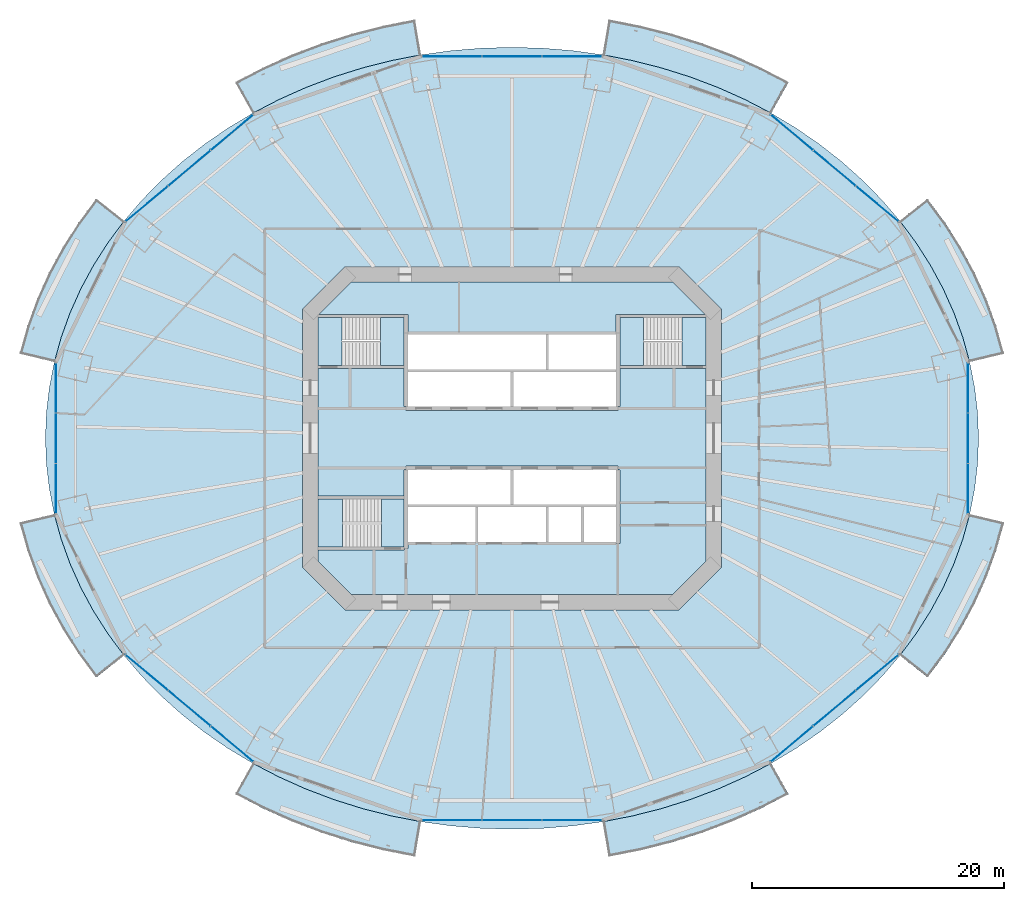
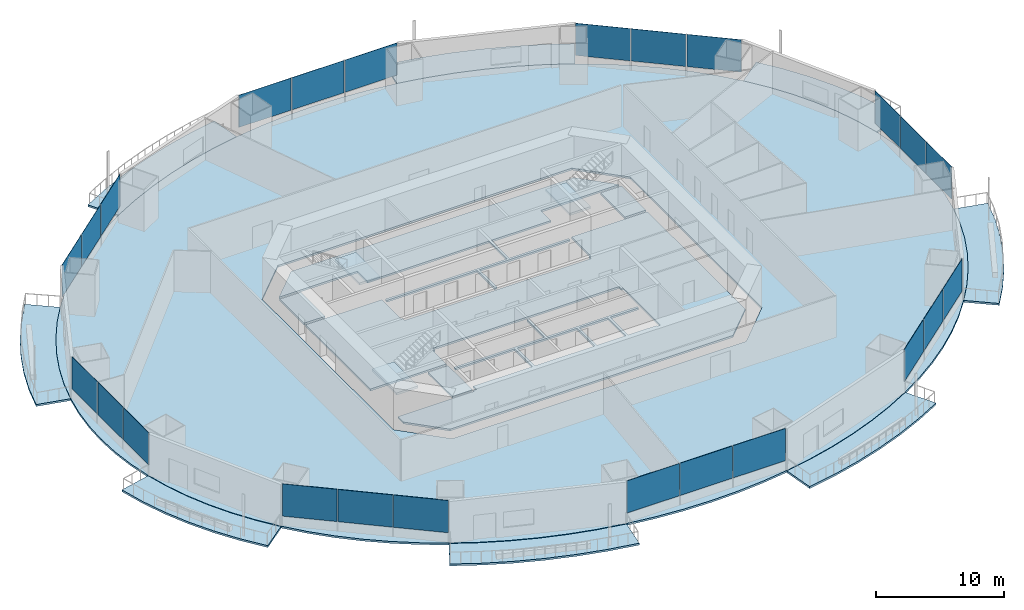
# One storey, part 13 of 23: 24 plates, 17 slabs, 11 elements without a shape of their own.
"""IFC4 building model written with IfcOpenShell, lengths in metres."""

from ifc_helpers import new_model, si_unit, direction, frame, origin, origin_2d, place, context, subcontext, project, spatial, polyline, rectangle, outline, extrude, material, layer, layer_set, type_object, element, aggregate, save


model = new_model("IFC4")

# Units and contexts
model_context = context("Model", 3, precision=1e-05, world=origin(), true_north=direction((0.0, 1.0)))
body_context = subcontext(model_context, "Body", "Model", "MODEL_VIEW")
ifc_project = project(units=[si_unit("LENGTHUNIT", "METRE"), si_unit("AREAUNIT", "SQUARE_METRE"), si_unit("VOLUMEUNIT", "CUBIC_METRE"), si_unit("PLANEANGLEUNIT", "RADIAN"), si_unit("MASSUNIT", "GRAM", prefix="KILO")], contexts=[model_context])

# Site, building, storey
site_placement = place(None, origin())
site = spatial("IfcSite", under=ifc_project, at=site_placement, CompositionType="ELEMENT")
building_placement = place(site_placement, origin())
building = spatial("IfcBuilding", under=site, at=building_placement, Name="Marenthal Gate Tower", CompositionType="ELEMENT")
storey_placement = place(building_placement, frame((0.0, 0.0, 37.14990234375)))
storey = spatial("IfcBuildingStorey", under=building, at=storey_placement, Name="L05", CompositionType="ELEMENT", Elevation=37.14990234375)

# Slabs
ifc_material_1 = material(Name="Concrete 40 MPa", Category="concrete")
ifc_layer_1 = layer(ifc_material_1, 0.179931640625)
ifc_layer_set_1 = layer_set([ifc_layer_1], Name="Balcony deck 180")
slab_type_1 = type_object("IfcSlabType", Name="Balcony deck 180", PredefinedType="USERDEFINED", material=ifc_layer_set_1)
slab_1_placement = place(storey_placement, frame((0.0, 0.0, -0.219970703125)))
element("IfcSlab", 1, at=slab_1_placement, inside=storey, type_object=slab_type_1, Name="Balcony deck L05 bay 1", ObjectType="BALCONY", PredefinedType="USERDEFINED", context=body_context, shape_type="SweptSolid", body=[
    extrude(outline(polyline([(36.2890625, 6.0478515625), (35.7392578125, 8.0234375), (35.036376953125, 9.964599609375), (34.18359375, 11.86328125), (33.184326171875, 13.7109375), (32.04296875, 15.5), (30.764404296875, 17.22265625), (32.95361328125, 18.968505859375), (34.348388671875, 17.0888671875), (35.597412109375, 15.131103515625), (36.693603515625, 13.10400390625), (37.631591796875, 11.01611328125), (38.40625, 8.876220703125), (39.013427734375, 6.694580078125), (36.2890625, 6.0478515625)])), origin(), (0.0, 0.0, 1.0), 0.18017578125),
])
slab_2_placement = place(storey_placement, frame((0.0, 0.0, -0.219970703125)))
element("IfcSlab", 2, at=slab_2_placement, inside=storey, type_object=slab_type_1, Name="Balcony deck L05 bay 3", ObjectType="BALCONY", PredefinedType="USERDEFINED", context=body_context, shape_type="SweptSolid", body=[
    extrude(outline(polyline([(20.55615234375, 25.775634765625), (18.5, 26.8466796875), (16.36474609375, 27.802978515625), (14.1591796875, 28.640380859375), (11.893310546875, 29.354736328125), (9.576416015625, 29.943603515625), (7.21826171875, 30.404296875), (7.678466796875, 33.166259765625), (10.189697265625, 32.67578125), (12.6591796875, 32.048095703125), (15.077392578125, 31.28564453125), (17.433837890625, 30.390869140625), (19.71923828125, 29.367431640625), (21.923828125, 28.21875), (20.55615234375, 25.775634765625)])), origin(), (0.0, 0.0, 1.0), 0.18017578125),
])
slab_3_placement = place(storey_placement, frame((0.0, 0.0, -0.219970703125)))
element("IfcSlab", 3, at=slab_3_placement, inside=storey, type_object=slab_type_1, Name="Balcony deck L05 bay 5", ObjectType="BALCONY", PredefinedType="USERDEFINED", context=body_context, shape_type="SweptSolid", body=[
    extrude(outline(polyline([(-7.21826171875, 30.404296875), (-9.576416015625, 29.943603515625), (-11.893310546875, 29.354736328125), (-14.1591796875, 28.640380859375), (-16.36474609375, 27.802978515625), (-18.5, 26.8466796875), (-20.55615234375, 25.775634765625), (-21.923828125, 28.21875), (-19.71923828125, 29.367431640625), (-17.433837890625, 30.390869140625), (-15.077392578125, 31.28564453125), (-12.6591796875, 32.048095703125), (-10.189697265625, 32.67578125), (-7.678466796875, 33.166259765625), (-7.21826171875, 30.404296875)])), origin(), (0.0, 0.0, 1.0), 0.18017578125),
])
slab_4_placement = place(storey_placement, frame((0.0, 0.0, -0.219970703125)))
element("IfcSlab", 4, at=slab_4_placement, inside=storey, type_object=slab_type_1, Name="Balcony deck L05 bay 7", ObjectType="BALCONY", PredefinedType="USERDEFINED", context=body_context, shape_type="SweptSolid", body=[
    extrude(outline(polyline([(-30.764404296875, 17.22265625), (-32.04296875, 15.5), (-33.184326171875, 13.7109375), (-34.18359375, 11.86328125), (-35.036376953125, 9.964599609375), (-35.7392578125, 8.0234375), (-36.2890625, 6.0478515625), (-39.013427734375, 6.694580078125), (-38.40625, 8.876220703125), (-37.631591796875, 11.01611328125), (-36.693603515625, 13.10400390625), (-35.597412109375, 15.131103515625), (-34.348388671875, 17.0888671875), (-32.95361328125, 18.968505859375), (-30.764404296875, 17.22265625)])), origin(), (0.0, 0.0, 1.0), 0.18017578125),
])
slab_5_placement = place(storey_placement, frame((0.0, 0.0, -0.219970703125)))
element("IfcSlab", 5, at=slab_5_placement, inside=storey, type_object=slab_type_1, Name="Balcony deck L05 bay 9", ObjectType="BALCONY", PredefinedType="USERDEFINED", context=body_context, shape_type="SweptSolid", body=[
    extrude(outline(polyline([(-36.2890625, -6.0478515625), (-35.7392578125, -8.0234375), (-35.036376953125, -9.964599609375), (-34.18359375, -11.86328125), (-33.184326171875, -13.7109375), (-32.04296875, -15.5), (-30.764404296875, -17.22265625), (-32.95361328125, -18.968505859375), (-34.348388671875, -17.0888671875), (-35.597412109375, -15.131103515625), (-36.693603515625, -13.10400390625), (-37.631591796875, -11.01611328125), (-38.40625, -8.876220703125), (-39.013427734375, -6.694580078125), (-36.2890625, -6.0478515625)])), origin(), (0.0, 0.0, 1.0), 0.18017578125),
])
slab_6_placement = place(storey_placement, frame((0.0, 0.0, -0.219970703125)))
element("IfcSlab", 6, at=slab_6_placement, inside=storey, type_object=slab_type_1, Name="Balcony deck L05 bay 11", ObjectType="BALCONY", PredefinedType="USERDEFINED", context=body_context, shape_type="SweptSolid", body=[
    extrude(outline(polyline([(-20.55615234375, -25.775634765625), (-18.5, -26.8466796875), (-16.36474609375, -27.802978515625), (-14.1591796875, -28.640380859375), (-11.893310546875, -29.354736328125), (-9.576416015625, -29.943603515625), (-7.21826171875, -30.404296875), (-7.678466796875, -33.166259765625), (-10.189697265625, -32.67578125), (-12.6591796875, -32.048095703125), (-15.077392578125, -31.28564453125), (-17.433837890625, -30.390869140625), (-19.71923828125, -29.367431640625), (-21.923828125, -28.21875), (-20.55615234375, -25.775634765625)])), origin(), (0.0, 0.0, 1.0), 0.18017578125),
])
slab_7_placement = place(storey_placement, frame((0.0, 0.0, -0.219970703125)))
element("IfcSlab", 7, at=slab_7_placement, inside=storey, type_object=slab_type_1, Name="Balcony deck L05 bay 13", ObjectType="BALCONY", PredefinedType="USERDEFINED", context=body_context, shape_type="SweptSolid", body=[
    extrude(outline(polyline([(7.21826171875, -30.404296875), (9.576416015625, -29.943603515625), (11.893310546875, -29.354736328125), (14.1591796875, -28.640380859375), (16.36474609375, -27.802978515625), (18.5, -26.8466796875), (20.55615234375, -25.775634765625), (21.923828125, -28.21875), (19.71923828125, -29.367431640625), (17.433837890625, -30.390869140625), (15.077392578125, -31.28564453125), (12.6591796875, -32.048095703125), (10.189697265625, -32.67578125), (7.678466796875, -33.166259765625), (7.21826171875, -30.404296875)])), origin(), (0.0, 0.0, 1.0), 0.18017578125),
])
slab_8_placement = place(storey_placement, frame((0.0, 0.0, -0.219970703125)))
element("IfcSlab", 8, at=slab_8_placement, inside=storey, type_object=slab_type_1, Name="Balcony deck L05 bay 15", ObjectType="BALCONY", PredefinedType="USERDEFINED", context=body_context, shape_type="SweptSolid", body=[
    extrude(outline(polyline([(30.764404296875, -17.22265625), (32.04296875, -15.5), (33.184326171875, -13.7109375), (34.18359375, -11.86328125), (35.036376953125, -9.964599609375), (35.7392578125, -8.0234375), (36.2890625, -6.0478515625), (39.013427734375, -6.694580078125), (38.40625, -8.876220703125), (37.631591796875, -11.01611328125), (36.693603515625, -13.10400390625), (35.597412109375, -15.131103515625), (34.348388671875, -17.0888671875), (32.95361328125, -18.968505859375), (30.764404296875, -17.22265625)])), origin(), (0.0, 0.0, 1.0), 0.18017578125),
])
ifc_material_2 = material(Name="Concrete 50 MPa", Category="concrete")
ifc_layer_2 = layer(ifc_material_2, 0.179931640625)
ifc_layer_set_2 = layer_set([ifc_layer_2], Name="Core floor slab 180")
slab_type_2 = type_object("IfcSlabType", Name="Core floor slab 180", PredefinedType="FLOOR", material=ifc_layer_set_2)
slab_9_placement = place(storey_placement, frame((0.0, 0.0, -0.179931640625)))
element("IfcSlab", 9, at=slab_9_placement, inside=storey, type_object=slab_type_2, Name="Core floor L05", PredefinedType="FLOOR", context=body_context, shape_type="SweptSolid", body=[
    extrude(outline(polyline([(15.39990234375, -9.75146484375), (12.75146484375, -12.39990234375), (-12.75146484375, -12.39990234375), (-15.39990234375, -9.75146484375), (-15.39990234375, -8.875), (-8.550048828125, -8.875), (-8.550048828125, -8.75), (-8.25, -8.75), (-8.25, -8.239990234375), (-5.60009765625, -8.239990234375), (-2.909912109375, -8.239990234375), (-2.909912109375, -5.4599609375), (-5.60009765625, -5.4599609375), (-8.25, -5.4599609375), (-8.25, -5.239990234375), (-5.60009765625, -5.239990234375), (-2.800048828125, -5.239990234375), (-0.110107421875, -5.239990234375), (-0.110107421875, -2.5), (0.110107421875, -2.5), (0.110107421875, -5.239990234375), (2.800048828125, -5.239990234375), (5.60009765625, -5.239990234375), (8.25, -5.239990234375), (8.25, -5.4599609375), (5.7099609375, -5.4599609375), (5.7099609375, -8.239990234375), (8.25, -8.239990234375), (8.25, -8.35009765625), (8.550048828125, -8.35009765625), (8.550048828125, -2.5), (8.39990234375, -2.5), (8.39990234375, -2.199951171875), (-8.39990234375, -2.199951171875), (-8.39990234375, -2.5), (-8.550048828125, -2.5), (-8.550048828125, -4.574951171875), (-15.39990234375, -4.574951171875), (-15.39990234375, 5.52490234375), (-8.550048828125, 5.52490234375), (-8.550048828125, 2.5), (-8.39990234375, 2.5), (-8.39990234375, 2.199951171875), (8.39990234375, 2.199951171875), (8.39990234375, 2.5), (8.550048828125, 2.5), (8.550048828125, 5.52490234375), (15.39990234375, 5.52490234375), (15.39990234375, -9.75146484375)]), holes=[polyline([(2.68994140625, -5.4599609375), (0.0, -5.4599609375), (-2.68994140625, -5.4599609375), (-2.68994140625, -8.239990234375), (0.0, -8.239990234375), (2.68994140625, -8.239990234375), (2.68994140625, -5.4599609375)]), polyline([(5.489990234375, -5.4599609375), (2.909912109375, -5.4599609375), (2.909912109375, -8.239990234375), (5.489990234375, -8.239990234375), (5.489990234375, -5.4599609375)])]), origin(), (0.0, 0.0, 1.0), 0.179931640625),
])
slab_10_placement = place(storey_placement, frame((0.0, 0.0, -0.179931640625)))
element("IfcSlab", 10, at=slab_10_placement, inside=storey, type_object=slab_type_2, Name="Core floor L05", PredefinedType="FLOOR", context=body_context, shape_type="SweptSolid", body=[
    extrude(outline(polyline([(15.39990234375, 5.77490234375), (13.5, 5.77490234375), (13.5, 9.574951171875), (15.39990234375, 9.574951171875), (15.39990234375, 5.77490234375)])), origin(), (0.0, 0.0, 1.0), 0.179931640625),
])
slab_11_placement = place(storey_placement, frame((0.0, 0.0, -0.179931640625)))
element("IfcSlab", 11, at=slab_11_placement, inside=storey, type_object=slab_type_2, Name="Core floor L05", PredefinedType="FLOOR", context=body_context, shape_type="SweptSolid", body=[
    extrude(outline(polyline([(12.75146484375, 12.39990234375), (15.326416015625, 9.824951171875), (8.550048828125, 9.824951171875), (8.25, 9.824951171875), (8.25, 8.35009765625), (8.25, 8.239990234375), (5.60009765625, 8.239990234375), (2.909912109375, 8.239990234375), (2.909912109375, 5.4599609375), (5.60009765625, 5.4599609375), (8.25, 5.4599609375), (8.25, 5.239990234375), (5.60009765625, 5.239990234375), (2.800048828125, 5.239990234375), (0.110107421875, 5.239990234375), (0.110107421875, 2.5), (-0.110107421875, 2.5), (-0.110107421875, 5.239990234375), (-2.800048828125, 5.239990234375), (-5.60009765625, 5.239990234375), (-8.25, 5.239990234375), (-8.25, 5.4599609375), (-5.60009765625, 5.4599609375), (-2.800048828125, 5.4599609375), (0.0, 5.4599609375), (2.68994140625, 5.4599609375), (2.68994140625, 8.239990234375), (0.0, 8.239990234375), (-2.800048828125, 8.239990234375), (-5.60009765625, 8.239990234375), (-8.25, 8.239990234375), (-8.25, 8.35009765625), (-8.25, 9.824951171875), (-8.550048828125, 9.824951171875), (-15.326416015625, 9.824951171875), (-12.75146484375, 12.39990234375), (12.75146484375, 12.39990234375)])), origin(), (0.0, 0.0, 1.0), 0.179931640625),
])
slab_12_placement = place(storey_placement, frame((0.0, 0.0, -0.179931640625)))
element("IfcSlab", 12, at=slab_12_placement, inside=storey, type_object=slab_type_2, Name="Core floor L05", PredefinedType="FLOOR", context=body_context, shape_type="SweptSolid", body=[
    extrude(outline(polyline([(-15.39990234375, 9.574951171875), (-13.5, 9.574951171875), (-13.5, 5.77490234375), (-15.39990234375, 5.77490234375), (-15.39990234375, 9.574951171875)])), origin(), (0.0, 0.0, 1.0), 0.179931640625),
])
slab_13_placement = place(storey_placement, frame((0.0, 0.0, -0.179931640625)))
element("IfcSlab", 13, at=slab_13_placement, inside=storey, type_object=slab_type_2, Name="Core floor L05", PredefinedType="FLOOR", context=body_context, shape_type="SweptSolid", body=[
    extrude(outline(polyline([(-8.550048828125, -8.625), (-10.35009765625, -8.625), (-10.35009765625, -4.824951171875), (-8.550048828125, -4.824951171875), (-8.550048828125, -8.625)])), origin(), (0.0, 0.0, 1.0), 0.179931640625),
])
ifc_material_3 = material(Name="Concrete 35 MPa", Category="concrete")
ifc_layer_3 = layer(ifc_material_3, 0.179931640625)
ifc_layer_set_3 = layer_set([ifc_layer_3], Name="Floor slab 180")
slab_type_3 = type_object("IfcSlabType", Name="Floor slab 180", PredefinedType="FLOOR", material=ifc_layer_set_3)
slab_14_placement = place(storey_placement, frame((0.0, 0.0, -0.179931640625)))
element("IfcSlab", 14, at=slab_14_placement, inside=storey, type_object=slab_type_3, Name="SL-L05-01", PredefinedType="FLOOR", context=body_context, shape_type="SweptSolid", body=[
    extrude(outline(polyline([(37.0, 0.0), (36.9208984375, 2.027587890625), (36.68359375, 4.04638671875), (36.2890625, 6.0478515625), (35.7392578125, 8.0234375), (35.036376953125, 9.964599609375), (34.18359375, 11.86328125), (33.184326171875, 13.7109375), (32.04296875, 15.5), (30.764404296875, 17.22265625), (29.35400390625, 18.87158203125), (27.818115234375, 20.439697265625), (26.1630859375, 21.92041015625), (24.395751953125, 23.306884765625), (22.524169921875, 24.593994140625), (20.55615234375, 25.775634765625), (18.5, 26.8466796875), (16.36474609375, 27.802978515625), (14.1591796875, 28.640380859375), (11.893310546875, 29.354736328125), (9.576416015625, 29.943603515625), (7.21826171875, 30.404296875), (4.82958984375, 30.73486328125), (2.419921875, 30.93359375), (0.0, 31.0), (-2.419921875, 30.93359375), (-4.82958984375, 30.73486328125), (-7.21826171875, 30.404296875), (-9.576416015625, 29.943603515625), (-11.893310546875, 29.354736328125), (-14.1591796875, 28.640380859375), (-16.36474609375, 27.802978515625), (-18.5, 26.8466796875), (-20.55615234375, 25.775634765625), (-22.524169921875, 24.593994140625), (-24.395751953125, 23.306884765625), (-26.1630859375, 21.92041015625), (-27.818115234375, 20.439697265625), (-29.35400390625, 18.87158203125), (-30.764404296875, 17.22265625), (-32.04296875, 15.5), (-33.184326171875, 13.7109375), (-34.18359375, 11.86328125), (-35.036376953125, 9.964599609375), (-35.7392578125, 8.0234375), (-36.2890625, 6.0478515625), (-36.68359375, 4.04638671875), (-36.9208984375, 2.027587890625), (-37.0, 0.0), (-36.9208984375, -2.027587890625), (-36.68359375, -4.04638671875), (-36.2890625, -6.0478515625), (-35.7392578125, -8.0234375), (-35.036376953125, -9.964599609375), (-34.18359375, -11.86328125), (-33.184326171875, -13.7109375), (-32.04296875, -15.5), (-30.764404296875, -17.22265625), (-29.35400390625, -18.87158203125), (-27.818115234375, -20.439697265625), (-26.1630859375, -21.92041015625), (-24.395751953125, -23.306884765625), (-22.524169921875, -24.593994140625), (-20.55615234375, -25.775634765625), (-18.5, -26.8466796875), (-16.36474609375, -27.802978515625), (-14.1591796875, -28.640380859375), (-11.893310546875, -29.354736328125), (-9.576416015625, -29.943603515625), (-7.21826171875, -30.404296875), (-4.82958984375, -30.73486328125), (-2.419921875, -30.93359375), (0.0, -31.0), (2.419921875, -30.93359375), (4.82958984375, -30.73486328125), (7.21826171875, -30.404296875), (9.576416015625, -29.943603515625), (11.893310546875, -29.354736328125), (14.1591796875, -28.640380859375), (16.36474609375, -27.802978515625), (18.5, -26.8466796875), (20.55615234375, -25.775634765625), (22.524169921875, -24.593994140625), (24.395751953125, -23.306884765625), (26.1630859375, -21.92041015625), (27.818115234375, -20.439697265625), (29.35400390625, -18.87158203125), (30.764404296875, -17.22265625), (32.04296875, -15.5), (33.184326171875, -13.7109375), (34.18359375, -11.86328125), (35.036376953125, -9.964599609375), (35.7392578125, -8.0234375), (36.2890625, -6.0478515625), (36.68359375, -4.04638671875), (36.9208984375, -2.027587890625), (37.0, 0.0)]), holes=[polyline([(13.24853515625, -13.60009765625), (16.60009765625, -10.24853515625), (16.60009765625, 10.24853515625), (13.24853515625, 13.60009765625), (-13.24853515625, 13.60009765625), (-16.60009765625, 10.24853515625), (-16.60009765625, -10.24853515625), (-13.24853515625, -13.60009765625), (13.24853515625, -13.60009765625)])]), origin(), (0.0, 0.0, 1.0), 0.179931640625),
])

# Curtain wall, plates
ifc_material_4 = material(Name="Aluminium and glass", Category="aluminium")
curtain_wall_type = type_object("IfcCurtainWallType", Name="Curtain wall typical low", PredefinedType="NOTDEFINED", material=ifc_material_4)
curtain_wall_1_placement = place(storey_placement, origin())
curtain_wall_1 = element("IfcCurtainWall", 15, at=curtain_wall_1_placement, inside=storey, type_object=curtain_wall_type, Name="Curtain wall L05 bay 2", PredefinedType="NOTDEFINED")
ifc_material_5 = material(Name="Glass, laminated insulating unit", Category="glass")
ifc_layer_4 = layer(ifc_material_5, 0.030029296875)
ifc_layer_set_4 = layer_set([ifc_layer_4], Name="Glass panel 30 typical low")
plate_type = type_object("IfcPlateType", Name="Glass panel 30 typical low", PredefinedType="CURTAIN_PANEL", material=ifc_layer_set_4)
plate_1_placement = place(storey_placement, frame((28.953369140625, 18.5888671875, 0.89990234375), z_axis=(0.0, 0.0, 1.0), x_axis=(-0.76671954771, 0.641982192245, 0.0)))
plate_1 = element("IfcPlate", 16, at=plate_1_placement, type_object=plate_type, Name="Glass panel L05 bay 2.1", PredefinedType="CURTAIN_PANEL", context=body_context, shape_type="SweptSolid", body=[
    extrude(rectangle(XDim=4.34375, YDim=0.030029296875, at=origin_2d()), origin(), (0.0, 0.0, 1.0), 3.070068359375),
])
plate_2_placement = place(storey_placement, frame((25.576904296875, 21.416015625, 0.89990234375), z_axis=(0.0, 0.0, 1.0), x_axis=(-0.76671954771, 0.641982192245, 0.0)))
plate_2 = element("IfcPlate", 17, at=plate_2_placement, type_object=plate_type, Name="Glass panel L05 bay 2.2", PredefinedType="CURTAIN_PANEL", context=body_context, shape_type="SweptSolid", body=[
    extrude(rectangle(XDim=4.34375, YDim=0.030029296875, at=origin_2d()), origin(), (0.0, 0.0, 1.0), 3.070068359375),
])
plate_3_placement = place(storey_placement, frame((22.20068359375, 24.242919921875, 0.89990234375), z_axis=(0.0, 0.0, 1.0), x_axis=(-0.76671954771, 0.641982192245, 0.0)))
plate_3 = element("IfcPlate", 18, at=plate_3_placement, type_object=plate_type, Name="Glass panel L05 bay 2.3", PredefinedType="CURTAIN_PANEL", context=body_context, shape_type="SweptSolid", body=[
    extrude(rectangle(XDim=4.34375, YDim=0.030029296875, at=origin_2d()), origin(), (0.0, 0.0, 1.0), 3.070068359375),
])
aggregate(curtain_wall_1, [plate_1, plate_2, plate_3])

curtain_wall_2_placement = place(storey_placement, origin())
curtain_wall_2 = element("IfcCurtainWall", 19, at=curtain_wall_2_placement, inside=storey, type_object=curtain_wall_type, Name="Curtain wall L05 bay 4", PredefinedType="NOTDEFINED")
plate_4_placement = place(storey_placement, frame((4.776611328125, 30.28662109375, 0.89990234375), z_axis=(0.0, 0.0, 1.0), x_axis=(-1.0, 0.0, 0.0)))
plate_4 = element("IfcPlate", 20, at=plate_4_placement, type_object=plate_type, Name="Glass panel L05 bay 4.1", PredefinedType="CURTAIN_PANEL", context=body_context, shape_type="SweptSolid", body=[
    extrude(rectangle(XDim=4.716552734375, YDim=0.030029296875, at=origin_2d()), origin(), (0.0, 0.0, 1.0), 3.070068359375),
])
plate_5_placement = place(storey_placement, frame((0.0, 30.28662109375, 0.89990234375), z_axis=(0.0, 0.0, 1.0), x_axis=(-1.0, 0.0, 0.0)))
plate_5 = element("IfcPlate", 21, at=plate_5_placement, type_object=plate_type, Name="Glass panel L05 bay 4.2", PredefinedType="CURTAIN_PANEL", context=body_context, shape_type="SweptSolid", body=[
    extrude(rectangle(XDim=4.716552734375, YDim=0.030029296875, at=origin_2d()), origin(), (0.0, 0.0, 1.0), 3.070068359375),
])
plate_6_placement = place(storey_placement, frame((-4.776611328125, 30.28662109375, 0.89990234375), z_axis=(0.0, 0.0, 1.0), x_axis=(-1.0, 0.0, 0.0)))
plate_6 = element("IfcPlate", 22, at=plate_6_placement, type_object=plate_type, Name="Glass panel L05 bay 4.3", PredefinedType="CURTAIN_PANEL", context=body_context, shape_type="SweptSolid", body=[
    extrude(rectangle(XDim=4.716552734375, YDim=0.030029296875, at=origin_2d()), origin(), (0.0, 0.0, 1.0), 3.070068359375),
])
aggregate(curtain_wall_2, [plate_4, plate_5, plate_6])

curtain_wall_3_placement = place(storey_placement, origin())
curtain_wall_3 = element("IfcCurtainWall", 23, at=curtain_wall_3_placement, inside=storey, type_object=curtain_wall_type, Name="Curtain wall L05 bay 6", PredefinedType="NOTDEFINED")
plate_7_placement = place(storey_placement, frame((-22.20068359375, 24.242919921875, 0.89990234375), z_axis=(0.0, 0.0, 1.0), x_axis=(-0.76671954771, -0.641982192245, 0.0)))
plate_7 = element("IfcPlate", 24, at=plate_7_placement, type_object=plate_type, Name="Glass panel L05 bay 6.1", PredefinedType="CURTAIN_PANEL", context=body_context, shape_type="SweptSolid", body=[
    extrude(rectangle(XDim=4.34375, YDim=0.030029296875, at=origin_2d()), origin(), (0.0, 0.0, 1.0), 3.070068359375),
])
plate_8_placement = place(storey_placement, frame((-25.576904296875, 21.416015625, 0.89990234375), z_axis=(0.0, 0.0, 1.0), x_axis=(-0.76671954771, -0.641982192245, 0.0)))
plate_8 = element("IfcPlate", 25, at=plate_8_placement, type_object=plate_type, Name="Glass panel L05 bay 6.2", PredefinedType="CURTAIN_PANEL", context=body_context, shape_type="SweptSolid", body=[
    extrude(rectangle(XDim=4.34375, YDim=0.030029296875, at=origin_2d()), origin(), (0.0, 0.0, 1.0), 3.070068359375),
])
plate_9_placement = place(storey_placement, frame((-28.953369140625, 18.5888671875, 0.89990234375), z_axis=(0.0, 0.0, 1.0), x_axis=(-0.76671954771, -0.641982192245, 0.0)))
plate_9 = element("IfcPlate", 26, at=plate_9_placement, type_object=plate_type, Name="Glass panel L05 bay 6.3", PredefinedType="CURTAIN_PANEL", context=body_context, shape_type="SweptSolid", body=[
    extrude(rectangle(XDim=4.34375, YDim=0.030029296875, at=origin_2d()), origin(), (0.0, 0.0, 1.0), 3.070068359375),
])
aggregate(curtain_wall_3, [plate_7, plate_8, plate_9])

curtain_wall_4_placement = place(storey_placement, origin())
curtain_wall_4 = element("IfcCurtainWall", 27, at=curtain_wall_4_placement, inside=storey, type_object=curtain_wall_type, Name="Curtain wall L05 bay 8", PredefinedType="NOTDEFINED")
plate_10_placement = place(storey_placement, frame((-36.17138671875, 3.996337890625, 0.89990234375), z_axis=(0.0, 0.0, 1.0), x_axis=(0.0, -1.0, 0.0)))
plate_10 = element("IfcPlate", 28, at=plate_10_placement, type_object=plate_type, Name="Glass panel L05 bay 8.1", PredefinedType="CURTAIN_PANEL", context=body_context, shape_type="SweptSolid", body=[
    extrude(rectangle(XDim=3.936279296875, YDim=0.030029296875, at=origin_2d()), origin(), (0.0, 0.0, 1.0), 3.070068359375),
])
plate_11_placement = place(storey_placement, frame((-36.17138671875, 0.0, 0.89990234375), z_axis=(0.0, 0.0, 1.0), x_axis=(0.0, -1.0, 0.0)))
plate_11 = element("IfcPlate", 29, at=plate_11_placement, type_object=plate_type, Name="Glass panel L05 bay 8.2", PredefinedType="CURTAIN_PANEL", context=body_context, shape_type="SweptSolid", body=[
    extrude(rectangle(XDim=3.936279296875, YDim=0.030029296875, at=origin_2d()), origin(), (0.0, 0.0, 1.0), 3.070068359375),
])
plate_12_placement = place(storey_placement, frame((-36.17138671875, -3.996337890625, 0.89990234375), z_axis=(0.0, 0.0, 1.0), x_axis=(0.0, -1.0, 0.0)))
plate_12 = element("IfcPlate", 30, at=plate_12_placement, type_object=plate_type, Name="Glass panel L05 bay 8.3", PredefinedType="CURTAIN_PANEL", context=body_context, shape_type="SweptSolid", body=[
    extrude(rectangle(XDim=3.936279296875, YDim=0.030029296875, at=origin_2d()), origin(), (0.0, 0.0, 1.0), 3.070068359375),
])
aggregate(curtain_wall_4, [plate_10, plate_11, plate_12])

curtain_wall_5_placement = place(storey_placement, origin())
curtain_wall_5 = element("IfcCurtainWall", 31, at=curtain_wall_5_placement, inside=storey, type_object=curtain_wall_type, Name="Curtain wall L05 bay 10", PredefinedType="NOTDEFINED")
plate_13_placement = place(storey_placement, frame((-28.953369140625, -18.5888671875, 0.89990234375), z_axis=(0.0, 0.0, 1.0), x_axis=(0.76671954771, -0.641982192245, 0.0)))
plate_13 = element("IfcPlate", 32, at=plate_13_placement, type_object=plate_type, Name="Glass panel L05 bay 10.1", PredefinedType="CURTAIN_PANEL", context=body_context, shape_type="SweptSolid", body=[
    extrude(rectangle(XDim=4.34375, YDim=0.030029296875, at=origin_2d()), origin(), (0.0, 0.0, 1.0), 3.070068359375),
])
plate_14_placement = place(storey_placement, frame((-25.576904296875, -21.416015625, 0.89990234375), z_axis=(0.0, 0.0, 1.0), x_axis=(0.76671954771, -0.641982192245, 0.0)))
plate_14 = element("IfcPlate", 33, at=plate_14_placement, type_object=plate_type, Name="Glass panel L05 bay 10.2", PredefinedType="CURTAIN_PANEL", context=body_context, shape_type="SweptSolid", body=[
    extrude(rectangle(XDim=4.34375, YDim=0.030029296875, at=origin_2d()), origin(), (0.0, 0.0, 1.0), 3.070068359375),
])
plate_15_placement = place(storey_placement, frame((-22.20068359375, -24.242919921875, 0.89990234375), z_axis=(0.0, 0.0, 1.0), x_axis=(0.76671954771, -0.641982192245, 0.0)))
plate_15 = element("IfcPlate", 34, at=plate_15_placement, type_object=plate_type, Name="Glass panel L05 bay 10.3", PredefinedType="CURTAIN_PANEL", context=body_context, shape_type="SweptSolid", body=[
    extrude(rectangle(XDim=4.34375, YDim=0.030029296875, at=origin_2d()), origin(), (0.0, 0.0, 1.0), 3.070068359375),
])
aggregate(curtain_wall_5, [plate_13, plate_14, plate_15])

curtain_wall_6_placement = place(storey_placement, origin())
curtain_wall_6 = element("IfcCurtainWall", 35, at=curtain_wall_6_placement, inside=storey, type_object=curtain_wall_type, Name="Curtain wall L05 bay 12", PredefinedType="NOTDEFINED")
plate_16_placement = place(storey_placement, frame((-4.776611328125, -30.28662109375, 0.89990234375), z_axis=(0.0, 0.0, 1.0), x_axis=(1.0, 0.0, 0.0)))
plate_16 = element("IfcPlate", 36, at=plate_16_placement, type_object=plate_type, Name="Glass panel L05 bay 12.1", PredefinedType="CURTAIN_PANEL", context=body_context, shape_type="SweptSolid", body=[
    extrude(rectangle(XDim=4.716552734375, YDim=0.030029296875, at=origin_2d()), origin(), (0.0, 0.0, 1.0), 3.070068359375),
])
plate_17_placement = place(storey_placement, frame((0.0, -30.28662109375, 0.89990234375), z_axis=(0.0, 0.0, 1.0), x_axis=(1.0, 0.0, 0.0)))
plate_17 = element("IfcPlate", 37, at=plate_17_placement, type_object=plate_type, Name="Glass panel L05 bay 12.2", PredefinedType="CURTAIN_PANEL", context=body_context, shape_type="SweptSolid", body=[
    extrude(rectangle(XDim=4.716552734375, YDim=0.030029296875, at=origin_2d()), origin(), (0.0, 0.0, 1.0), 3.070068359375),
])
plate_18_placement = place(storey_placement, frame((4.776611328125, -30.28662109375, 0.89990234375), z_axis=(0.0, 0.0, 1.0), x_axis=(1.0, 0.0, 0.0)))
plate_18 = element("IfcPlate", 38, at=plate_18_placement, type_object=plate_type, Name="Glass panel L05 bay 12.3", PredefinedType="CURTAIN_PANEL", context=body_context, shape_type="SweptSolid", body=[
    extrude(rectangle(XDim=4.716552734375, YDim=0.030029296875, at=origin_2d()), origin(), (0.0, 0.0, 1.0), 3.070068359375),
])
aggregate(curtain_wall_6, [plate_16, plate_17, plate_18])

curtain_wall_7_placement = place(storey_placement, origin())
curtain_wall_7 = element("IfcCurtainWall", 39, at=curtain_wall_7_placement, inside=storey, type_object=curtain_wall_type, Name="Curtain wall L05 bay 14", PredefinedType="NOTDEFINED")
plate_19_placement = place(storey_placement, frame((22.20068359375, -24.242919921875, 0.89990234375), z_axis=(0.0, 0.0, 1.0), x_axis=(0.76671954771, 0.641982192245, 0.0)))
plate_19 = element("IfcPlate", 40, at=plate_19_placement, type_object=plate_type, Name="Glass panel L05 bay 14.1", PredefinedType="CURTAIN_PANEL", context=body_context, shape_type="SweptSolid", body=[
    extrude(rectangle(XDim=4.34375, YDim=0.030029296875, at=origin_2d()), origin(), (0.0, 0.0, 1.0), 3.070068359375),
])
plate_20_placement = place(storey_placement, frame((25.576904296875, -21.416015625, 0.89990234375), z_axis=(0.0, 0.0, 1.0), x_axis=(0.76671954771, 0.641982192245, 0.0)))
plate_20 = element("IfcPlate", 41, at=plate_20_placement, type_object=plate_type, Name="Glass panel L05 bay 14.2", PredefinedType="CURTAIN_PANEL", context=body_context, shape_type="SweptSolid", body=[
    extrude(rectangle(XDim=4.34375, YDim=0.030029296875, at=origin_2d()), origin(), (0.0, 0.0, 1.0), 3.070068359375),
])
plate_21_placement = place(storey_placement, frame((28.953369140625, -18.5888671875, 0.89990234375), z_axis=(0.0, 0.0, 1.0), x_axis=(0.76671954771, 0.641982192245, 0.0)))
plate_21 = element("IfcPlate", 42, at=plate_21_placement, type_object=plate_type, Name="Glass panel L05 bay 14.3", PredefinedType="CURTAIN_PANEL", context=body_context, shape_type="SweptSolid", body=[
    extrude(rectangle(XDim=4.34375, YDim=0.030029296875, at=origin_2d()), origin(), (0.0, 0.0, 1.0), 3.070068359375),
])
aggregate(curtain_wall_7, [plate_19, plate_20, plate_21])

curtain_wall_8_placement = place(storey_placement, origin())
curtain_wall_8 = element("IfcCurtainWall", 43, at=curtain_wall_8_placement, inside=storey, type_object=curtain_wall_type, Name="Curtain wall L05 bay 16", PredefinedType="NOTDEFINED")
plate_22_placement = place(storey_placement, frame((36.17138671875, -3.996337890625, 0.89990234375), z_axis=(0.0, 0.0, 1.0), x_axis=(0.0, 1.0, 0.0)))
plate_22 = element("IfcPlate", 44, at=plate_22_placement, type_object=plate_type, Name="Glass panel L05 bay 16.1", PredefinedType="CURTAIN_PANEL", context=body_context, shape_type="SweptSolid", body=[
    extrude(rectangle(XDim=3.936279296875, YDim=0.030029296875, at=origin_2d()), origin(), (0.0, 0.0, 1.0), 3.070068359375),
])
plate_23_placement = place(storey_placement, frame((36.17138671875, 0.0, 0.89990234375), z_axis=(0.0, 0.0, 1.0), x_axis=(0.0, 1.0, 0.0)))
plate_23 = element("IfcPlate", 45, at=plate_23_placement, type_object=plate_type, Name="Glass panel L05 bay 16.2", PredefinedType="CURTAIN_PANEL", context=body_context, shape_type="SweptSolid", body=[
    extrude(rectangle(XDim=3.936279296875, YDim=0.030029296875, at=origin_2d()), origin(), (0.0, 0.0, 1.0), 3.070068359375),
])
plate_24_placement = place(storey_placement, frame((36.17138671875, 3.996337890625, 0.89990234375), z_axis=(0.0, 0.0, 1.0), x_axis=(0.0, 1.0, 0.0)))
plate_24 = element("IfcPlate", 46, at=plate_24_placement, type_object=plate_type, Name="Glass panel L05 bay 16.3", PredefinedType="CURTAIN_PANEL", context=body_context, shape_type="SweptSolid", body=[
    extrude(rectangle(XDim=3.936279296875, YDim=0.030029296875, at=origin_2d()), origin(), (0.0, 0.0, 1.0), 3.070068359375),
])
aggregate(curtain_wall_8, [plate_22, plate_23, plate_24])

# Stair, slab
ifc_material_6 = material(Name="Concrete 40 MPa", Category="concrete")
stair_type = type_object("IfcStairType", Name="Exit stair 1800", PredefinedType="HALF_TURN_STAIR", material=ifc_material_6)
stair_1_placement = place(storey_placement, origin())
stair_1 = element("IfcStair", 47, at=stair_1_placement, inside=storey, type_object=stair_type, Name="Stair ST1", PredefinedType="HALF_TURN_STAIR")
ifc_material_7 = material(Name="Concrete 40 MPa", Category="concrete")
ifc_layer_5 = layer(ifc_material_7, 0.199951171875)
ifc_layer_set_5 = layer_set([ifc_layer_5], Name="Stair landing 200")
slab_type_4 = type_object("IfcSlabType", Name="Stair landing 200", PredefinedType="LANDING", material=ifc_layer_set_5)
slab_15_placement = place(storey_placement, frame((0.0, 0.0, 1.875)))
slab_15 = element("IfcSlab", 48, at=slab_15_placement, type_object=slab_type_4, Name="ST1 landing 1", PredefinedType="LANDING", context=body_context, shape_type="SweptSolid", body=[
    extrude(outline(polyline([(-10.419921875, 5.77490234375), (-8.550048828125, 5.77490234375), (-8.550048828125, 9.574951171875), (-10.419921875, 9.574951171875), (-10.419921875, 5.77490234375)])), origin(), (0.0, 0.0, 1.0), 0.2001953125),
])
aggregate(stair_1, [slab_15])

stair_2_placement = place(storey_placement, origin())
stair_2 = element("IfcStair", 49, at=stair_2_placement, inside=storey, type_object=stair_type, Name="Stair ST2", PredefinedType="HALF_TURN_STAIR")
slab_16_placement = place(storey_placement, frame((0.0, 0.0, 1.875)))
slab_16 = element("IfcSlab", 50, at=slab_16_placement, type_object=slab_type_4, Name="ST2 landing 1", PredefinedType="LANDING", context=body_context, shape_type="SweptSolid", body=[
    extrude(outline(polyline([(-15.39990234375, -8.625), (-13.429931640625, -8.625), (-13.429931640625, -4.824951171875), (-15.39990234375, -4.824951171875), (-15.39990234375, -8.625)])), origin(), (0.0, 0.0, 1.0), 0.2001953125),
])
aggregate(stair_2, [slab_16])

stair_3_placement = place(storey_placement, origin())
stair_3 = element("IfcStair", 51, at=stair_3_placement, inside=storey, type_object=stair_type, Name="Stair ST3", PredefinedType="HALF_TURN_STAIR")
slab_17_placement = place(storey_placement, frame((0.0, 0.0, 1.875)))
slab_17 = element("IfcSlab", 52, at=slab_17_placement, type_object=slab_type_4, Name="ST3 landing 1", PredefinedType="LANDING", context=body_context, shape_type="SweptSolid", body=[
    extrude(outline(polyline([(8.550048828125, 5.77490234375), (10.419921875, 5.77490234375), (10.419921875, 9.574951171875), (8.550048828125, 9.574951171875), (8.550048828125, 5.77490234375)])), origin(), (0.0, 0.0, 1.0), 0.2001953125),
])
aggregate(stair_3, [slab_17])

save(model, "model.ifc")
